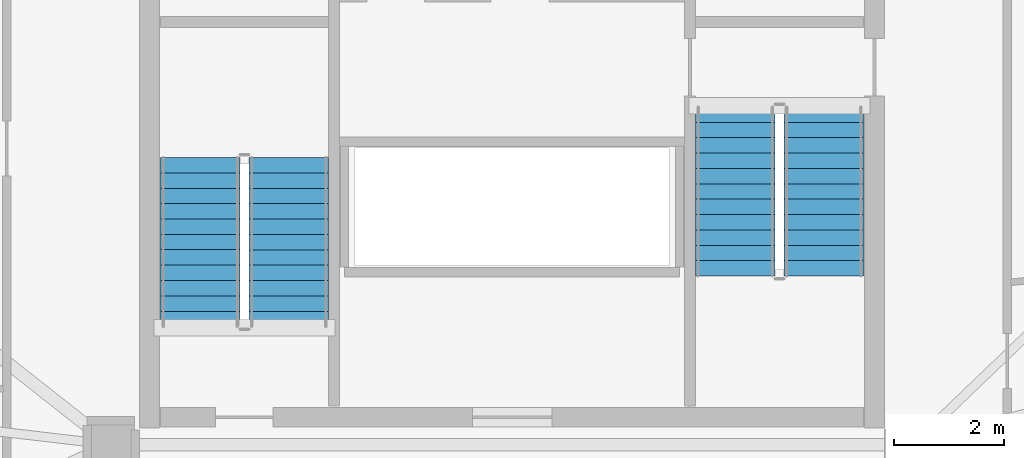
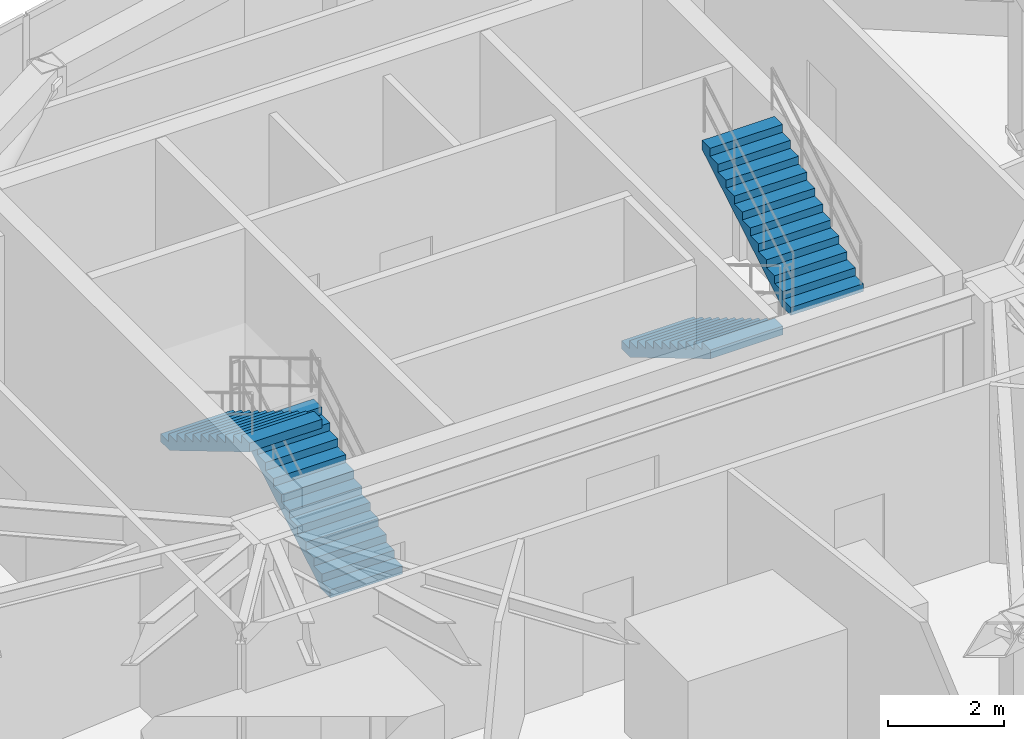
# One storey, part 19 of 21: 4 stair flights, 2 elements without a shape of their own.
"""IFC4 building model written with IfcOpenShell, lengths in metres."""

from ifc_helpers import new_model, si_unit, direction, frame, origin, place, context, subcontext, project, spatial, polyline, outline, extrude, material, layer, layer_set, type_object, element, aggregate, save


model = new_model("IFC4")

# Units and contexts
model_context = context("Model", 3, precision=1e-05, world=origin(), true_north=direction((0.0, 1.0)))
body_context = subcontext(model_context, "Body", "Model", "MODEL_VIEW")
ifc_project = project(units=[si_unit("LENGTHUNIT", "METRE"), si_unit("AREAUNIT", "SQUARE_METRE"), si_unit("VOLUMEUNIT", "CUBIC_METRE"), si_unit("PLANEANGLEUNIT", "RADIAN"), si_unit("MASSUNIT", "GRAM", prefix="KILO")], contexts=[model_context])

# Site, building, storey
site_placement = place(None, origin())
site = spatial("IfcSite", under=ifc_project, at=site_placement, CompositionType="ELEMENT")
building_placement = place(site_placement, origin())
building = spatial("IfcBuilding", under=site, at=building_placement, Name="Talar Marvaseh", CompositionType="ELEMENT")
storey_placement = place(building_placement, frame((0.0, 0.0, 304.0)))
storey = spatial("IfcBuildingStorey", under=building, at=storey_placement, Name="L81", CompositionType="ELEMENT", Elevation=304.0)

# Stair, stair flights
ifc_material = material(Name="Concrete C40/50", Category="concrete")
stair_type = type_object("IfcStairType", Name="Reinforced Concrete High-Rise Exit Stair Type C", PredefinedType="HALF_TURN_STAIR", material=ifc_material)
stair_1_placement = place(storey_placement, origin())
stair_1 = element("IfcStair", 1, at=stair_1_placement, inside=storey, type_object=stair_type, Name="L81 Tower West Core Exit Stair", PredefinedType="HALF_TURN_STAIR")
ifc_layer = layer(ifc_material, 0.159912109375)
ifc_layer_set = layer_set([ifc_layer], Name="Concrete C40/50")
stair_flight_type = type_object("IfcStairFlightType", Name="Reinforced Concrete Straight Stair Flight 160", PredefinedType="STRAIGHT", material=ifc_layer_set)
stair_flight_1_placement = place(storey_placement, frame((21.93505859375, 27.64990234375, 0.0), z_axis=(0.0, 0.0, 1.0), x_axis=(0.0, 1.0, 0.0)))
stair_flight_1 = element("IfcStairFlight", 2, at=stair_flight_1_placement, type_object=stair_flight_type, Name="ST-1 flight 1", NumberOfRisers=12, NumberOfTreads=11, PredefinedType="STRAIGHT", RiserHeight=0.166666667, TreadLength=0.28, context=body_context, shape_type="SweptSolid", body=[
    extrude(outline(polyline([(0.0, 0.0), (0.0, 0.166748046875), (0.280029296875, 0.166748046875), (0.280029296875, 0.333251953125), (0.56005859375, 0.333251953125), (0.56005859375, 0.5), (0.840087890625, 0.5), (0.840087890625, 0.666748046875), (1.1201171875, 0.666748046875), (1.1201171875, 0.833251953125), (1.39990234375, 0.833251953125), (1.39990234375, 1.0), (1.679931640625, 1.0), (1.679931640625, 1.166748046875), (1.9599609375, 1.166748046875), (1.9599609375, 1.333251953125), (2.239990234375, 1.333251953125), (2.239990234375, 1.5), (2.52001953125, 1.5), (2.52001953125, 1.666748046875), (2.800048828125, 1.666748046875), (2.800048828125, 1.833251953125), (3.080078125, 1.833251953125), (3.080078125, 2.0), (3.080078125, 1.647216796875), (0.312744140625, 0.0), (0.0, 0.0)])), frame((0.0, 0.72509765625, 0.0), z_axis=(0.0, -1.0, 0.0), x_axis=(1.0, 0.0, 0.0)), (0.0, 0.0, 1.0), 1.449951171875),
])
stair_flight_2_placement = place(storey_placement, frame((20.324951171875, 30.72998046875, 2.0), z_axis=(0.0, 0.0, 1.0), x_axis=(0.0, -1.0, 0.0)))
stair_flight_2 = element("IfcStairFlight", 3, at=stair_flight_2_placement, type_object=stair_flight_type, Name="ST-1 flight 2", NumberOfRisers=12, NumberOfTreads=11, PredefinedType="STRAIGHT", RiserHeight=0.166666667, TreadLength=0.28, context=body_context, shape_type="SweptSolid", body=[
    extrude(outline(polyline([(0.0, 0.0), (0.0, 0.166748046875), (0.280029296875, 0.166748046875), (0.280029296875, 0.333251953125), (0.56005859375, 0.333251953125), (0.56005859375, 0.5), (0.840087890625, 0.5), (0.840087890625, 0.666748046875), (1.1201171875, 0.666748046875), (1.1201171875, 0.833251953125), (1.39990234375, 0.833251953125), (1.39990234375, 1.0), (1.679931640625, 1.0), (1.679931640625, 1.166748046875), (1.9599609375, 1.166748046875), (1.9599609375, 1.333251953125), (2.239990234375, 1.333251953125), (2.239990234375, 1.5), (2.52001953125, 1.5), (2.52001953125, 1.666748046875), (2.800048828125, 1.666748046875), (2.800048828125, 1.833251953125), (3.080078125, 1.833251953125), (3.080078125, 2.0), (3.080078125, 1.647216796875), (0.312744140625, 0.0), (0.0, 0.0)])), frame((0.0, 0.72509765625, 0.0), z_axis=(0.0, -1.0, 0.0), x_axis=(1.0, 0.0, 0.0)), (0.0, 0.0, 1.0), 1.449951171875),
])
aggregate(stair_1, [stair_flight_1, stair_flight_2])

stair_2_placement = place(storey_placement, origin())
stair_2 = element("IfcStair", 4, at=stair_2_placement, inside=storey, type_object=stair_type, Name="L81 Tower East Core Exit Stair", PredefinedType="HALF_TURN_STAIR")
stair_flight_3_placement = place(storey_placement, frame((30.06494140625, 31.64990234375, 0.0), z_axis=(0.0, 0.0, 1.0), x_axis=(0.0, -1.0, 0.0)))
stair_flight_3 = element("IfcStairFlight", 5, at=stair_flight_3_placement, type_object=stair_flight_type, Name="ST-2 flight 1", NumberOfRisers=12, NumberOfTreads=11, PredefinedType="STRAIGHT", RiserHeight=0.166666667, TreadLength=0.28, context=body_context, shape_type="SweptSolid", body=[
    extrude(outline(polyline([(0.0, 0.0), (0.0, 0.166748046875), (0.280029296875, 0.166748046875), (0.280029296875, 0.333251953125), (0.56005859375, 0.333251953125), (0.56005859375, 0.5), (0.840087890625, 0.5), (0.840087890625, 0.666748046875), (1.1201171875, 0.666748046875), (1.1201171875, 0.833251953125), (1.39990234375, 0.833251953125), (1.39990234375, 1.0), (1.679931640625, 1.0), (1.679931640625, 1.166748046875), (1.9599609375, 1.166748046875), (1.9599609375, 1.333251953125), (2.239990234375, 1.333251953125), (2.239990234375, 1.5), (2.52001953125, 1.5), (2.52001953125, 1.666748046875), (2.800048828125, 1.666748046875), (2.800048828125, 1.833251953125), (3.080078125, 1.833251953125), (3.080078125, 2.0), (3.080078125, 1.647216796875), (0.312744140625, 0.0), (0.0, 0.0)])), frame((0.0, 0.72509765625, 0.0), z_axis=(0.0, -1.0, 0.0), x_axis=(1.0, 0.0, 0.0)), (0.0, 0.0, 1.0), 1.449951171875),
])
stair_flight_4_placement = place(storey_placement, frame((31.675048828125, 28.570068359375, 2.0), z_axis=(0.0, 0.0, 1.0), x_axis=(0.0, 1.0, 0.0)))
stair_flight_4 = element("IfcStairFlight", 6, at=stair_flight_4_placement, type_object=stair_flight_type, Name="ST-2 flight 2", NumberOfRisers=12, NumberOfTreads=11, PredefinedType="STRAIGHT", RiserHeight=0.166666667, TreadLength=0.28, context=body_context, shape_type="SweptSolid", body=[
    extrude(outline(polyline([(0.0, 0.0), (0.0, 0.166748046875), (0.280029296875, 0.166748046875), (0.280029296875, 0.333251953125), (0.56005859375, 0.333251953125), (0.56005859375, 0.5), (0.840087890625, 0.5), (0.840087890625, 0.666748046875), (1.1201171875, 0.666748046875), (1.1201171875, 0.833251953125), (1.39990234375, 0.833251953125), (1.39990234375, 1.0), (1.679931640625, 1.0), (1.679931640625, 1.166748046875), (1.9599609375, 1.166748046875), (1.9599609375, 1.333251953125), (2.239990234375, 1.333251953125), (2.239990234375, 1.5), (2.52001953125, 1.5), (2.52001953125, 1.666748046875), (2.800048828125, 1.666748046875), (2.800048828125, 1.833251953125), (3.080078125, 1.833251953125), (3.080078125, 2.0), (3.080078125, 1.647216796875), (0.312744140625, 0.0), (0.0, 0.0)])), frame((0.0, 0.72509765625, 0.0), z_axis=(0.0, -1.0, 0.0), x_axis=(1.0, 0.0, 0.0)), (0.0, 0.0, 1.0), 1.449951171875),
])
aggregate(stair_2, [stair_flight_3, stair_flight_4])

save(model, "model.ifc")
